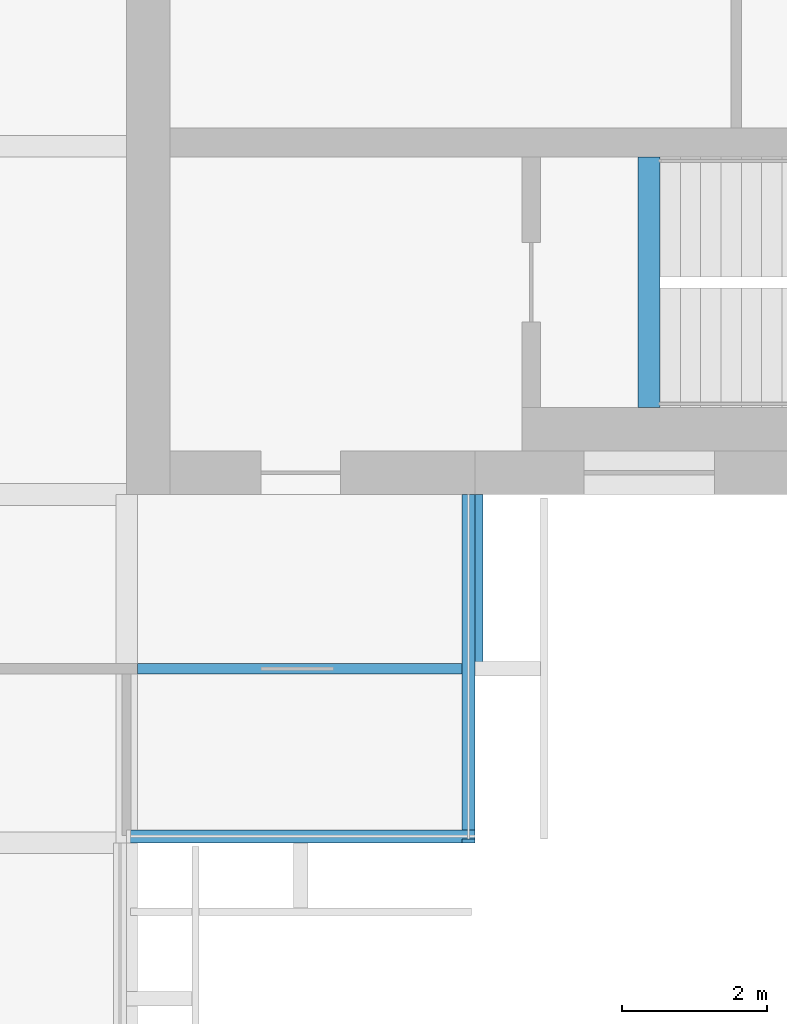
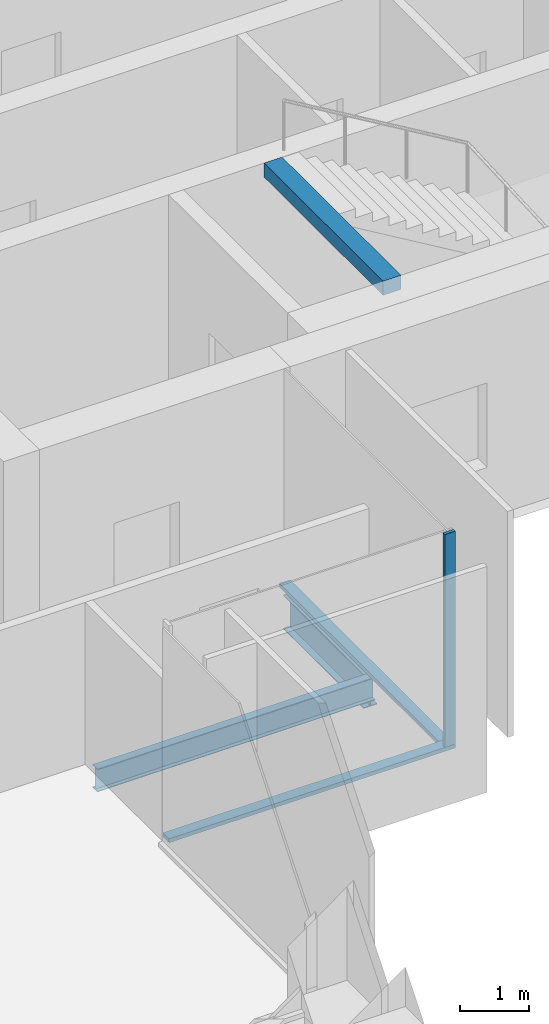
# One storey, part 4 of 13: 3 beams, 3 members, 2 elements without a shape of their own.
"""IFC4 building model written with IfcOpenShell, lengths in metres."""

from ifc_helpers import new_model, si_unit, direction, frame, origin, origin_2d, place, context, subcontext, project, spatial, rectangle, i_section, extrude, material, material_profile, profile_set, type_object, element, aggregate, save


model = new_model("IFC4")

# Units and contexts
model_context = context("Model", 3, precision=1e-05, world=origin(), true_north=direction((0.0, 1.0)))
body_context = subcontext(model_context, "Body", "Model", "MODEL_VIEW")
ifc_project = project(units=[si_unit("LENGTHUNIT", "METRE"), si_unit("AREAUNIT", "SQUARE_METRE"), si_unit("VOLUMEUNIT", "CUBIC_METRE"), si_unit("PLANEANGLEUNIT", "RADIAN"), si_unit("MASSUNIT", "GRAM", prefix="KILO")], contexts=[model_context])

# Site, building, storey
site_placement = place(None, origin())
site = spatial("IfcSite", under=ifc_project, at=site_placement, CompositionType="ELEMENT")
building_placement = place(site_placement, origin())
building = spatial("IfcBuilding", under=site, at=building_placement, Name="Baori Bourse Tower", CompositionType="ELEMENT")
storey_placement = place(building_placement, frame((0.0, 0.0, 318.300048828125)))
storey = spatial("IfcBuildingStorey", under=building, at=storey_placement, Name="L70", CompositionType="ELEMENT", Elevation=318.300048828125)

# Curtain wall, member
ifc_material_1 = material(Name="Pale anodised aluminium", Category="aluminium")
curtain_wall_type = type_object("IfcCurtainWallType", Name="CW2 Curtain wall", PredefinedType="NOTDEFINED", material=ifc_material_1)
curtain_wall_1_placement = place(storey_placement, origin())
curtain_wall_1 = element("IfcCurtainWall", 1, at=curtain_wall_1_placement, inside=storey, type_object=curtain_wall_type, Name="Curtain wall CW2 L70 14", PredefinedType="NOTDEFINED")
ifc_material_2 = material(Name="Pale anodised aluminium", Category="aluminium")
ifc_material_profile_1 = material_profile(ifc_material_2, rectangle(XDim=0.179931640625, YDim=0.054931640625, at=origin_2d()), Name="Mullion 55x180")
ifc_profile_set_1 = profile_set([ifc_material_profile_1], Name="Pale anodised aluminium")
member_type_1 = type_object("IfcMemberType", Name="CW2 Curtain wall mullion", PredefinedType="MULLION", material=ifc_profile_set_1)
member_1_placement = place(storey_placement, frame((43.110107421875, 4.827392578125, 0.070068359375), z_axis=(0.0, 0.0, 1.0), x_axis=(-1.0, 0.0, 0.0)))
member_1 = element("IfcMember", 2, at=member_1_placement, type_object=member_type_1, Name="Curtain wall CW2 mullion", PredefinedType="MULLION", context=body_context, shape_type="SweptSolid", body=[
    extrude(rectangle(XDim=0.179931640625, YDim=0.054931640625, at=origin_2d()), origin(), (0.0, 0.0, 1.0), 3.769775390625),
])

curtain_wall_2_placement = place(storey_placement, origin())
curtain_wall_2 = element("IfcCurtainWall", 3, at=curtain_wall_2_placement, inside=storey, type_object=curtain_wall_type, Name="Curtain wall CW2 L70 13", PredefinedType="NOTDEFINED")
ifc_material_3 = material(Name="Pale anodised aluminium", Category="aluminium")
ifc_material_profile_2 = material_profile(ifc_material_3, rectangle(XDim=0.179931640625, YDim=0.070068359375, at=origin_2d()), Name="Transom 70x180")
ifc_profile_set_2 = profile_set([ifc_material_profile_2], Name="Pale anodised aluminium")
member_type_2 = type_object("IfcMemberType", Name="CW2 Curtain wall transom", PredefinedType="USERDEFINED", material=ifc_profile_set_2)
member_2_placement = place(storey_placement, frame((38.39990234375, 4.889892578125, 0.034912109375), z_axis=(1.0, 0.0, 0.0), x_axis=(0.0, 1.0, 0.0)))
member_2 = element("IfcMember", 4, at=member_2_placement, type_object=member_type_2, Name="Curtain wall CW2 sill rail", ObjectType="TRANSOM", PredefinedType="USERDEFINED", context=body_context, shape_type="SweptSolid", body=[
    extrude(rectangle(XDim=0.179931640625, YDim=0.070068359375, at=origin_2d()), origin(), (0.0, 0.0, 1.0), 4.800048828125),
])
aggregate(curtain_wall_2, [member_2])

# Member
member_3_placement = place(storey_placement, frame((43.110107421875, 4.800048828125, 0.034912109375), z_axis=(0.0, 1.0, 0.0), x_axis=(-1.0, 0.0, 0.0)))
member_3 = element("IfcMember", 5, at=member_3_placement, type_object=member_type_2, Name="Curtain wall CW2 sill rail", ObjectType="TRANSOM", PredefinedType="USERDEFINED", context=body_context, shape_type="SweptSolid", body=[
    extrude(rectangle(XDim=0.179931640625, YDim=0.070068359375, at=origin_2d()), origin(), (0.0, 0.0, 1.0), 4.800048828125),
])

aggregate(curtain_wall_1, [member_3, member_1])

# Beams
ifc_material_4 = material(Name="Steel A992 Gr 50", Category="steel")
ifc_material_profile_3 = material_profile(ifc_material_4, i_section(OverallWidth=0.227783203125, OverallDepth=0.60205078125, WebThickness=0.010498046875, FlangeThickness=0.014892578125, at=origin_2d()), Name="W24x68")
ifc_profile_set_3 = profile_set([ifc_material_profile_3], Name="Steel A992 Gr 50")
beam_type_1 = type_object("IfcBeamType", Name="Core bracket W24x68", PredefinedType="BEAM", material=ifc_profile_set_3)
beam_1_placement = place(storey_placement, frame((43.199951171875, 7.270263671875, -0.4609375), z_axis=(0.0, 1.0, 0.0), x_axis=(-1.0, 0.0, 0.0)))
element("IfcBeam", 6, at=beam_1_placement, inside=storey, type_object=beam_type_1, Name="Core bracket L70", PredefinedType="BEAM", context=body_context, shape_type="SweptSolid", body=[
    extrude(i_section(OverallWidth=0.227783203125, OverallDepth=0.60205078125, WebThickness=0.010498046875, FlangeThickness=0.014892578125, at=origin_2d()), origin(), (0.0, 0.0, 1.0), 2.329833984375),
])
ifc_material_5 = material(Name="Concrete f'c 50 MPa", Category="concrete")
ifc_material_profile_4 = material_profile(ifc_material_5, rectangle(XDim=0.300048828125, YDim=0.25, at=origin_2d()), Name="RC 300x250")
ifc_profile_set_4 = profile_set([ifc_material_profile_4], Name="Concrete f'c 50 MPa")
beam_type_2 = type_object("IfcBeamType", Name="Stair nib beam RC 300x250", PredefinedType="BEAM", material=ifc_profile_set_4)
beam_2_placement = place(storey_placement, frame((45.60009765625, 10.800048828125, 3.71484375), z_axis=(0.0, 1.0, 0.0), x_axis=(-1.0, 0.0, 0.0)))
element("IfcBeam", 7, at=beam_2_placement, inside=storey, type_object=beam_type_2, Name="Stair EA nib beam L71", PredefinedType="BEAM", context=body_context, shape_type="SweptSolid", body=[
    extrude(rectangle(XDim=0.300048828125, YDim=0.25, at=origin_2d()), origin(), (0.0, 0.0, 1.0), 3.449951171875),
])
ifc_material_6 = material(Name="Steel A992 Gr 50", Category="steel")
ifc_material_profile_5 = material_profile(ifc_material_6, i_section(OverallWidth=0.140380859375, OverallDepth=0.40380859375, WebThickness=0.007080078125, FlangeThickness=0.01123046875, at=origin_2d()), Name="W16x31")
ifc_profile_set_5 = profile_set([ifc_material_profile_5], Name="Steel A992 Gr 50")
beam_type_3 = type_object("IfcBeamType", Name="Trimmer beam W16x31", PredefinedType="BEAM", material=ifc_profile_set_5)
beam_3_placement = place(storey_placement, frame((38.546142578125, 7.199951171875, -0.362060546875), z_axis=(1.0, 0.0, 0.0), x_axis=(0.0, 1.0, 0.0)))
element("IfcBeam", 8, at=beam_3_placement, inside=storey, type_object=beam_type_3, Name="Trimmer beam L70", PredefinedType="BEAM", context=body_context, shape_type="SweptSolid", body=[
    extrude(i_section(OverallWidth=0.140380859375, OverallDepth=0.40380859375, WebThickness=0.007080078125, FlangeThickness=0.01123046875, at=origin_2d()), origin(), (0.0, 0.0, 1.0), 4.65380859375),
])

save(model, "model.ifc")
